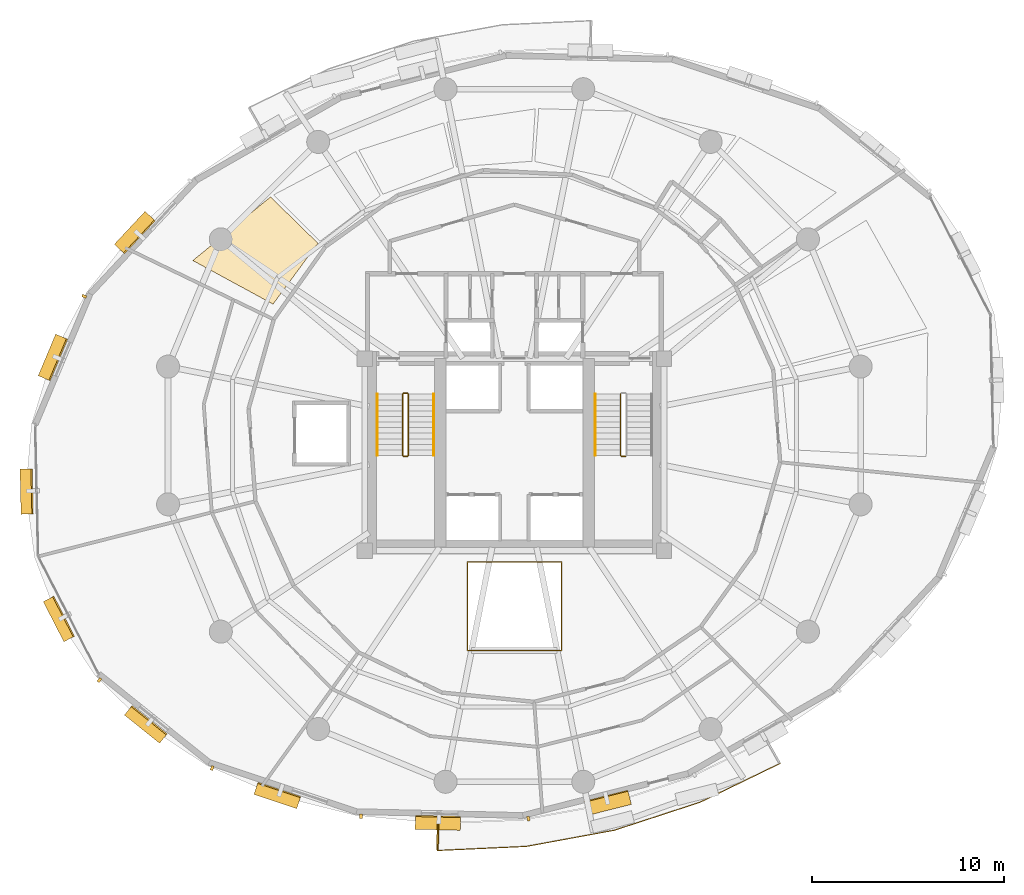
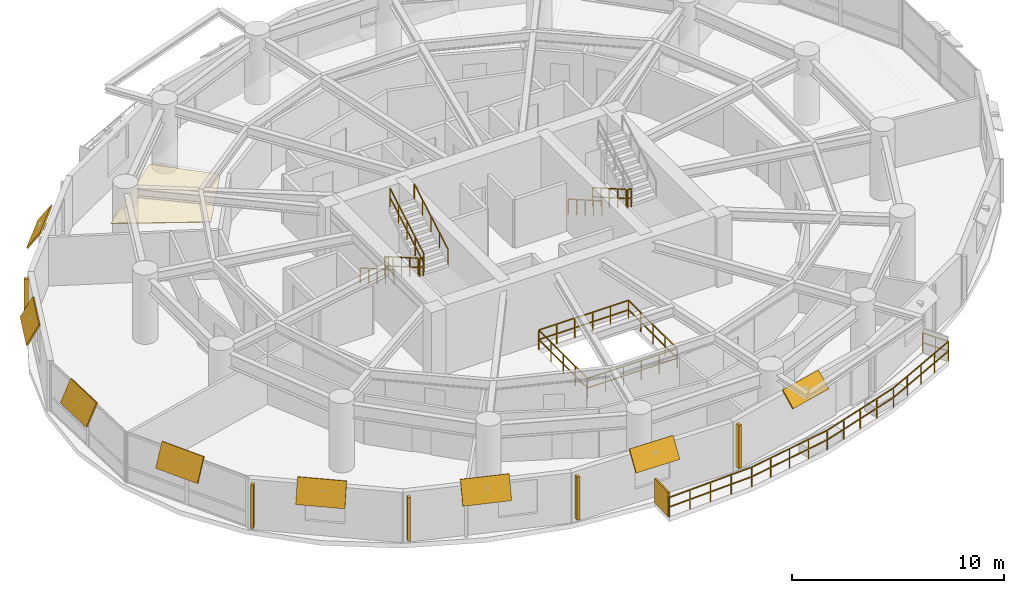
# One storey, part 13 of 15: 14 shading devices, 11 railings, 1 covering.
"""IFC4 building model written with IfcOpenShell, lengths in metres."""

import ifcopenshell
import ifcopenshell.guid

model = None  # the IFC model being written
_history = None  # IfcOwnerHistory: only IFC2X3 demands one
_inside = {}  # id of a spatial element -> (the spatial element, [elements in it])
_under = {}  # id of a project, library or spatial element -> (it, [spatial elements below it])
_declared = {}  # id of a project -> (the project, [libraries it declares])
_typed = {}  # id of a type object -> (the type object, [elements of that type])
_made_of = {}  # id of a material, layer set ... -> (it, [elements and type objects made of it])


def new_model(schema):
    """Start an empty IFC model of exactly this schema.

    Asked for "IFC4X3", IfcOpenShell would pick the latest addendum, in which some entities
    have other attributes; the version numbers below select the first issue.
    IFC2X3 requires an IfcOwnerHistory on every rooted entity: one is made here for all.
    """
    global model, _history
    if schema == "IFC4X3":
        model = ifcopenshell.file(schema_version=(4, 3, 0, 0))
    else:
        model = ifcopenshell.file(schema=schema)
    _inside.clear()
    _under.clear()
    _declared.clear()
    _typed.clear()
    _made_of.clear()
    _history = None
    if model.schema == "IFC2X3":
        org = make("IfcOrganization", Name="unknown")
        user = make(
            "IfcPersonAndOrganization",
            ThePerson=make("IfcPerson", FamilyName="unknown"),
            TheOrganization=org,
        )
        app = make(
            "IfcApplication",
            ApplicationDeveloper=org,
            Version="unknown",
            ApplicationFullName="unknown",
            ApplicationIdentifier="unknown",
        )
        _history = make(
            "IfcOwnerHistory",
            OwningUser=user,
            OwningApplication=app,
            ChangeAction="ADDED",
            CreationDate=0,
        )
    return model


def make(cls, **values):
    """One entity of the class cls with the attributes given. An attribute that is None is left unset."""
    return model.create_entity(
        cls, **{name: value for name, value in values.items() if value is not None}
    )


def rooted(cls, **values):
    """An entity with a GlobalId (a new one), such as an element, a storey or a relation."""
    return make(cls, GlobalId=ifcopenshell.guid.new(), OwnerHistory=_history, **values)


def si_unit(unit_type, name, prefix=None):
    """IfcSIUnit, for example si_unit("LENGTHUNIT", "METRE", prefix="MILLI")."""
    return make("IfcSIUnit", UnitType=unit_type, Prefix=prefix, Name=name)


def assignment(units):
    """IfcUnitAssignment: the units of a project."""
    return None if units is None else make("IfcUnitAssignment", Units=units)


def point(xyz):
    """IfcCartesianPoint."""
    return None if xyz is None else make("IfcCartesianPoint", Coordinates=xyz)


def direction(xyz):
    """IfcDirection."""
    return None if xyz is None else make("IfcDirection", DirectionRatios=xyz)


def frame(location, z_axis=None, x_axis=None):
    """IfcAxis2Placement3D, a coordinate frame: its origin and axes. An axis left out is left unset."""
    return make(
        "IfcAxis2Placement3D",
        Location=point(location),
        Axis=direction(z_axis),
        RefDirection=direction(x_axis),
    )


def frame_2d(location, x_axis=None):
    """IfcAxis2Placement2D, a coordinate frame in the plane: its origin and x axis."""
    return make(
        "IfcAxis2Placement2D", Location=point(location), RefDirection=direction(x_axis)
    )


def origin():
    """The frame at (0, 0, 0) with its axes left unset."""
    return frame((0.0, 0.0, 0.0))


def origin_2d():
    """The frame at (0, 0) in the plane with its x axis left unset."""
    return frame_2d((0.0, 0.0))


def place(relative_to, where):
    """IfcLocalPlacement: puts the frame where relative to a parent placement (None: the world)."""
    return make(
        "IfcLocalPlacement", PlacementRelTo=relative_to, RelativePlacement=where
    )


def context(
    kind, dimensions, precision=None, world=None, true_north=None, identifier=None
):
    """IfcGeometricRepresentationContext, for example the 3D "Model" context."""
    return make(
        "IfcGeometricRepresentationContext",
        ContextIdentifier=identifier,
        ContextType=kind,
        CoordinateSpaceDimension=dimensions,
        Precision=precision,
        WorldCoordinateSystem=world,
        TrueNorth=true_north,
    )


def subcontext(parent, identifier, kind, view, scale=None):
    """IfcGeometricRepresentationSubContext, for example "Body" below "Model"."""
    return make(
        "IfcGeometricRepresentationSubContext",
        ContextIdentifier=identifier,
        ContextType=kind,
        ParentContext=parent,
        TargetScale=scale,
        TargetView=view,
    )


def project(units=None, contexts=None):
    """IfcProject with its units and contexts."""
    return rooted(
        "IfcProject",
        Name="project",
        RepresentationContexts=contexts,
        UnitsInContext=assignment(units),
    )


def spatial(cls, under=None, at=None, **own):
    """A site, building, storey or space (cls), placed at a placement, below another one or the project."""
    s = rooted(cls, ObjectPlacement=at, **own)
    if under is not None:
        _under.setdefault(under.id(), (under, []))[1].append(s)
    return s


def polyline(points):
    """IfcPolyline through the points."""
    return make("IfcPolyline", Points=[point(p) for p in points])


def profile(cls, at=None, kind="AREA", **sizes):
    """A parametric profile (cls). Its sizes go by their IFC names, for example OverallWidth=200.0."""
    return make(cls, ProfileType=kind, Position=at, **sizes)


def rectangle(**sizes):
    """IfcRectangleProfileDef."""
    return profile("IfcRectangleProfileDef", **sizes)


def outline(outer, holes=None, kind="AREA"):
    """IfcArbitraryClosedProfileDef: a profile drawn as a closed curve; with holes, ...WithVoids."""
    if holes is None:
        return make("IfcArbitraryClosedProfileDef", ProfileType=kind, OuterCurve=outer)
    return make(
        "IfcArbitraryProfileDefWithVoids",
        ProfileType=kind,
        OuterCurve=outer,
        InnerCurves=holes,
    )


def extrude(swept, where, along, depth):
    """IfcExtrudedAreaSolid: the profile swept, set in the frame where, extruded along a direction by depth."""
    return make(
        "IfcExtrudedAreaSolid",
        SweptArea=swept,
        Position=where,
        ExtrudedDirection=direction(along),
        Depth=depth,
    )


def shape(context_of_items, identifier, shape_type, items):
    """IfcShapeRepresentation: the items that make up one representation, for example the "Body"."""
    return make(
        "IfcShapeRepresentation",
        ContextOfItems=context_of_items,
        RepresentationIdentifier=identifier,
        RepresentationType=shape_type,
        Items=items,
    )


def material(Name=None, Category=None):
    """IfcMaterial."""
    return make("IfcMaterial", Name=Name, Category=Category)


def layer(
    of_material, thickness, ventilated=None, Name=None, Category=None, Priority=None
):
    """IfcMaterialLayer: one layer of a wall or slab, of a material (None: an air gap)."""
    return make(
        "IfcMaterialLayer",
        Material=of_material,
        LayerThickness=thickness,
        IsVentilated=ventilated,
        Name=Name,
        Category=Category,
        Priority=Priority,
    )


def layer_set(layers, Name=None):
    """IfcMaterialLayerSet."""
    return make("IfcMaterialLayerSet", MaterialLayers=layers, LayerSetName=Name)


def made_of(thing, what):
    """Note that an element or type object is made of a material, layer set ...; save() writes the relation."""
    if what is not None:
        _made_of.setdefault(what.id(), (what, []))[1].append(thing)
    return thing


def type_object(cls, material=None, **own):
    """A type object (cls), such as IfcWallType, which elements share."""
    return made_of(rooted(cls, **own), material)


def element(
    cls,
    number,
    at=None,
    inside=None,
    cuts=None,
    type_object=None,
    material=None,
    context=None,
    identifier="Body",
    shape_type=None,
    held_by="IfcProductDefinitionShape",
    body=None,
    shapes=None,
    **own,
):
    """One element of the class cls, such as IfcWall. Its Tag is "e" and its number.

    at: its placement. inside: the storey or other place that contains it. cuts: it is an
    opening in that element (IfcRelVoidsElement). A single representation is given by context,
    identifier, shape_type and body (its items); several are given by shapes. held_by: the class
    of the entity that holds the representations. save() writes the other relations.
    """
    e = rooted(cls, Tag="e%d" % number, ObjectPlacement=at, **own)
    if body is not None:
        shapes = [shape(context, identifier, shape_type, body)]
    if shapes is not None:
        e.Representation = make(held_by, Representations=shapes)
    if inside is not None:
        _inside.setdefault(inside.id(), (inside, []))[1].append(e)
    if cuts is not None:
        rooted(
            "IfcRelVoidsElement", RelatingBuildingElement=cuts, RelatedOpeningElement=e
        )
    if type_object is not None:
        _typed.setdefault(type_object.id(), (type_object, []))[1].append(e)
    return made_of(e, material)


def aggregate(whole, parts):
    """IfcRelAggregates: a whole, such as a stair, and the parts it consists of."""
    return rooted("IfcRelAggregates", RelatingObject=whole, RelatedObjects=parts)


def save(model, path):
    """Write the relations noted so far, then the file.

    IfcRelAggregates (storeys below a building ...), IfcRelContainedInSpatialStructure (elements
    in a storey), IfcRelDefinesByType, IfcRelAssociatesMaterial and IfcRelDeclares: one each for
    every whole, place, type object, material and project.
    """
    for whole, parts in _under.values():
        aggregate(whole, parts)
    for where, things in _inside.values():
        rooted(
            "IfcRelContainedInSpatialStructure",
            RelatedElements=things,
            RelatingStructure=where,
        )
    for kind, things in _typed.values():
        rooted("IfcRelDefinesByType", RelatedObjects=things, RelatingType=kind)
    for what, things in _made_of.values():
        rooted("IfcRelAssociatesMaterial", RelatedObjects=things, RelatingMaterial=what)
    for by, libraries in _declared.values():
        rooted("IfcRelDeclares", RelatingContext=by, RelatedDefinitions=libraries)
    model.write(path)


model = new_model("IFC4")

# Units and contexts
model_context = context("Model", 3, precision=1e-05, world=origin(), true_north=direction((0.0, 1.0)))
body_context = subcontext(model_context, "Body", "Model", "MODEL_VIEW")
ifc_project = project(units=[si_unit("LENGTHUNIT", "METRE"), si_unit("AREAUNIT", "SQUARE_METRE"), si_unit("VOLUMEUNIT", "CUBIC_METRE"), si_unit("PLANEANGLEUNIT", "RADIAN"), si_unit("MASSUNIT", "GRAM", prefix="KILO"), si_unit("THERMODYNAMICTEMPERATUREUNIT", "KELVIN"), si_unit("POWERUNIT", "WATT")], contexts=[model_context])

# Site, building, storey
site_placement = place(None, origin())
site = spatial("IfcSite", under=ifc_project, at=site_placement, CompositionType="ELEMENT")
building_placement = place(site_placement, origin())
building = spatial("IfcBuilding", under=site, at=building_placement, Name="Ocrelia Relay Tower", CompositionType="ELEMENT")
storey_placement = place(building_placement, frame((0.0, 0.0, 93.800048828125)))
storey = spatial("IfcBuildingStorey", under=building, at=storey_placement, Name="L21", CompositionType="ELEMENT", Elevation=93.800048828125)

# Covering
ifc_material_1 = material(Name="Cleanroom metal-pan acoustic ceiling", Category="aluminium")
ifc_layer_1 = layer(ifc_material_1, 0.0400390625, Name="Cleanroom metal-pan acoustic ceiling")
ifc_layer_set_1 = layer_set([ifc_layer_1], Name="Cleanroom metal-pan acoustic ceiling")
covering_type = type_object("IfcCoveringType", Name="COV-CEIL-CLEAN", PredefinedType="CEILING", material=ifc_layer_set_1)
covering_placement = place(storey_placement, frame((0.0, 0.0, 2.719970703125)))
element("IfcCovering", 1, at=covering_placement, inside=storey, type_object=covering_type, Name="L21 Optical Switching Hall A Suspended Ceiling 7", PredefinedType="CEILING", context=body_context, shape_type="SweptSolid", body=[
    extrude(outline(polyline([(23.764892578125, 36.015380859375), (21.293212890625, 38.43408203125), (17.242431640625, 35.11767578125), (21.42138671875, 32.843994140625), (23.764892578125, 36.015380859375)])), origin(), (0.0, 0.0, 1.0), 0.0400390625),
])

# Railings
ifc_material_2 = material(Name="Steel S355 balustrade", Category="steel")
railing_type_1 = type_object("IfcRailingType", Name="RL-EXT-GUARD-1150", PredefinedType="GUARDRAIL", material=ifc_material_2)
railing_1_placement = place(storey_placement, frame((47.1474609375, 10.112548828125, 0.0)))
element("IfcRailing", 2, at=railing_1_placement, inside=storey, type_object=railing_type_1, Name="L21 Loggia Balcony Guard Rail B2", PredefinedType="GUARDRAIL", context=body_context, shape_type="SweptSolid", body=[
    extrude(rectangle(XDim=0.048095703125, YDim=0.048095703125, at=origin_2d()), frame((0.0, 0.0, 1.1259765625), z_axis=(0.498665339206, -0.866794600511, 0.0), x_axis=(0.866794600511, 0.498665339206, 0.0)), (0.0, 0.0, 1.0), 1.393310546875),
    extrude(rectangle(XDim=0.048095703125, YDim=0.048095703125, at=origin_2d()), frame((0.0, 0.0, 0.574951171875), z_axis=(0.498665339206, -0.866794600511, 0.0), x_axis=(0.866794600511, 0.498665339206, 0.0)), (0.0, 0.0, 1.0), 1.393310546875),
    extrude(rectangle(XDim=0.048095703125, YDim=0.048095703125, at=origin_2d()), frame((0.69482421875, -1.207763671875, 1.1259765625), z_axis=(-0.899780243906, -0.436343342651, 0.0), x_axis=(0.436343342651, -0.899780243906, 0.0)), (0.0, 0.0, 1.0), 2.31591796875),
    extrude(rectangle(XDim=0.048095703125, YDim=0.048095703125, at=origin_2d()), frame((0.69482421875, -1.207763671875, 0.574951171875), z_axis=(-0.899780243906, -0.436343342651, 0.0), x_axis=(0.436343342651, -0.899780243906, 0.0)), (0.0, 0.0, 1.0), 2.31591796875),
    extrude(rectangle(XDim=0.048095703125, YDim=0.048095703125, at=origin_2d()), frame((-1.388916015625, -2.21826171875, 1.1259765625), z_axis=(-0.899780243906, -0.436343342651, 0.0), x_axis=(0.436343342651, -0.899780243906, 0.0)), (0.0, 0.0, 1.0), 2.31591796875),
    extrude(rectangle(XDim=0.048095703125, YDim=0.048095703125, at=origin_2d()), frame((-1.388916015625, -2.21826171875, 0.574951171875), z_axis=(-0.899780243906, -0.436343342651, 0.0), x_axis=(0.436343342651, -0.899780243906, 0.0)), (0.0, 0.0, 1.0), 2.31591796875),
    extrude(rectangle(XDim=0.048095703125, YDim=0.048095703125, at=origin_2d()), frame((-3.47265625, -3.228759765625, 1.1259765625), z_axis=(-0.950553948728, -0.310559479903, 0.0), x_axis=(0.310559479903, -0.950553948728, 0.0)), (0.0, 0.0, 1.0), 4.68212890625),
    extrude(rectangle(XDim=0.048095703125, YDim=0.048095703125, at=origin_2d()), frame((-3.47265625, -3.228759765625, 0.574951171875), z_axis=(-0.950553948728, -0.310559479903, 0.0), x_axis=(0.310559479903, -0.950553948728, 0.0)), (0.0, 0.0, 1.0), 4.68212890625),
    extrude(rectangle(XDim=0.048095703125, YDim=0.048095703125, at=origin_2d()), frame((-7.92333984375, -4.682861328125, 1.1259765625), z_axis=(-0.983551325774, -0.180628872467, 0.0), x_axis=(0.180628872467, -0.983551325774, 0.0)), (0.0, 0.0, 1.0), 4.681884765625),
    extrude(rectangle(XDim=0.048095703125, YDim=0.048095703125, at=origin_2d()), frame((-7.92333984375, -4.682861328125, 0.574951171875), z_axis=(-0.983551325774, -0.180628872467, 0.0), x_axis=(0.180628872467, -0.983551325774, 0.0)), (0.0, 0.0, 1.0), 4.681884765625),
    extrude(rectangle(XDim=0.048095703125, YDim=0.048095703125, at=origin_2d()), frame((-12.5283203125, -5.528564453125, 1.1259765625), z_axis=(-0.998947785691, -0.045861982773, 0.0), x_axis=(0.045861982773, -0.998947785691, 0.0)), (0.0, 0.0, 1.0), 2.315673828125),
    extrude(rectangle(XDim=0.048095703125, YDim=0.048095703125, at=origin_2d()), frame((-12.5283203125, -5.528564453125, 0.574951171875), z_axis=(-0.998947785691, -0.045861982773, 0.0), x_axis=(0.045861982773, -0.998947785691, 0.0)), (0.0, 0.0, 1.0), 2.315673828125),
    extrude(rectangle(XDim=0.048095703125, YDim=0.048095703125, at=origin_2d()), frame((-14.841552734375, -5.634765625, 1.1259765625), z_axis=(-0.998943172775, -0.045962349444, 0.0), x_axis=(0.045962349444, -0.998943172775, 0.0)), (0.0, 0.0, 1.0), 2.31591796875),
    extrude(rectangle(XDim=0.048095703125, YDim=0.048095703125, at=origin_2d()), frame((-14.841552734375, -5.634765625, 0.574951171875), z_axis=(-0.998943172775, -0.045962349444, 0.0), x_axis=(0.045962349444, -0.998943172775, 0.0)), (0.0, 0.0, 1.0), 2.31591796875),
    extrude(rectangle(XDim=0.048095703125, YDim=0.048095703125, at=origin_2d()), frame((-17.155029296875, -5.7412109375, 1.1259765625), z_axis=(0.024528194777, 0.999699138572, 0.0), x_axis=(-0.999699138572, 0.024528194777, 0.0)), (0.0, 0.0, 1.0), 1.3935546875),
    extrude(rectangle(XDim=0.048095703125, YDim=0.048095703125, at=origin_2d()), frame((-17.155029296875, -5.7412109375, 0.574951171875), z_axis=(0.024528194777, 0.999699138572, 0.0), x_axis=(-0.999699138572, 0.024528194777, 0.0)), (0.0, 0.0, 1.0), 1.3935546875),
    extrude(rectangle(XDim=0.0419921875, YDim=0.0419921875, at=origin_2d()), origin(), (0.0, 0.0, 1.0), 1.101806640625),
    extrude(rectangle(XDim=0.0419921875, YDim=0.0419921875, at=origin_2d()), frame((0.347412109375, -0.60400390625, 0.0)), (0.0, 0.0, 1.0), 1.101806640625),
    extrude(rectangle(XDim=0.0419921875, YDim=0.0419921875, at=origin_2d()), frame((0.69482421875, -1.207763671875, 0.0)), (0.0, 0.0, 1.0), 1.101806640625),
    extrude(rectangle(XDim=0.0419921875, YDim=0.0419921875, at=origin_2d()), frame((-0.34716796875, -1.712890625, 0.0)), (0.0, 0.0, 1.0), 1.101806640625),
    extrude(rectangle(XDim=0.0419921875, YDim=0.0419921875, at=origin_2d()), frame((-1.388916015625, -2.21826171875, 0.0)), (0.0, 0.0, 1.0), 1.101806640625),
    extrude(rectangle(XDim=0.0419921875, YDim=0.0419921875, at=origin_2d()), frame((-2.4306640625, -2.7236328125, 0.0)), (0.0, 0.0, 1.0), 1.101806640625),
    extrude(rectangle(XDim=0.0419921875, YDim=0.0419921875, at=origin_2d()), frame((-3.47265625, -3.228759765625, 0.0)), (0.0, 0.0, 1.0), 1.101806640625),
    extrude(rectangle(XDim=0.0419921875, YDim=0.0419921875, at=origin_2d()), frame((-4.58544921875, -3.59228515625, 0.0)), (0.0, 0.0, 1.0), 1.101806640625),
    extrude(rectangle(XDim=0.0419921875, YDim=0.0419921875, at=origin_2d()), frame((-5.697998046875, -3.955810546875, 0.0)), (0.0, 0.0, 1.0), 1.101806640625),
    extrude(rectangle(XDim=0.0419921875, YDim=0.0419921875, at=origin_2d()), frame((-6.810546875, -4.3193359375, 0.0)), (0.0, 0.0, 1.0), 1.101806640625),
    extrude(rectangle(XDim=0.0419921875, YDim=0.0419921875, at=origin_2d()), frame((-7.92333984375, -4.682861328125, 0.0)), (0.0, 0.0, 1.0), 1.101806640625),
    extrude(rectangle(XDim=0.0419921875, YDim=0.0419921875, at=origin_2d()), frame((-9.07470703125, -4.894287109375, 0.0)), (0.0, 0.0, 1.0), 1.101806640625),
    extrude(rectangle(XDim=0.0419921875, YDim=0.0419921875, at=origin_2d()), frame((-10.225830078125, -5.105712890625, 0.0)), (0.0, 0.0, 1.0), 1.101806640625),
    extrude(rectangle(XDim=0.0419921875, YDim=0.0419921875, at=origin_2d()), frame((-11.376953125, -5.317138671875, 0.0)), (0.0, 0.0, 1.0), 1.101806640625),
    extrude(rectangle(XDim=0.0419921875, YDim=0.0419921875, at=origin_2d()), frame((-12.5283203125, -5.528564453125, 0.0)), (0.0, 0.0, 1.0), 1.101806640625),
    extrude(rectangle(XDim=0.0419921875, YDim=0.0419921875, at=origin_2d()), frame((-13.68505859375, -5.58154296875, 0.0)), (0.0, 0.0, 1.0), 1.101806640625),
    extrude(rectangle(XDim=0.0419921875, YDim=0.0419921875, at=origin_2d()), frame((-14.841552734375, -5.634765625, 0.0)), (0.0, 0.0, 1.0), 1.101806640625),
    extrude(rectangle(XDim=0.0419921875, YDim=0.0419921875, at=origin_2d()), frame((-15.998291015625, -5.68798828125, 0.0)), (0.0, 0.0, 1.0), 1.101806640625),
    extrude(rectangle(XDim=0.0419921875, YDim=0.0419921875, at=origin_2d()), frame((-17.155029296875, -5.7412109375, 0.0)), (0.0, 0.0, 1.0), 1.101806640625),
    extrude(rectangle(XDim=0.0419921875, YDim=0.0419921875, at=origin_2d()), frame((-17.137939453125, -5.044677734375, 0.0)), (0.0, 0.0, 1.0), 1.101806640625),
    extrude(rectangle(XDim=0.0419921875, YDim=0.0419921875, at=origin_2d()), frame((-17.120849609375, -4.34814453125, 0.0)), (0.0, 0.0, 1.0), 1.101806640625),
])
ifc_material_3 = material(Name="Steel S355 atrium balustrade", Category="steel")
railing_type_2 = type_object("IfcRailingType", Name="RL-INT-GUARD-115", PredefinedType="GUARDRAIL", material=ifc_material_3)
railing_2_placement = place(storey_placement, frame((31.550048828125, 14.800048828125, 0.0)))
element("IfcRailing", 3, at=railing_2_placement, inside=storey, type_object=railing_type_2, Name="L21 Multi-Zone Interior Atrium Guard", PredefinedType="GUARDRAIL", context=body_context, shape_type="SweptSolid", body=[
    extrude(rectangle(XDim=0.048095703125, YDim=0.048095703125, at=origin_2d()), frame((0.0, 0.0, 1.1259765625), z_axis=(1.0, 0.0, 0.0), x_axis=(0.0, 1.0, 0.0)), (0.0, 0.0, 1.0), 4.89990234375),
    extrude(rectangle(XDim=0.048095703125, YDim=0.048095703125, at=origin_2d()), frame((0.0, 0.0, 0.574951171875), z_axis=(1.0, 0.0, 0.0), x_axis=(0.0, 1.0, 0.0)), (0.0, 0.0, 1.0), 4.89990234375),
    extrude(rectangle(XDim=0.048095703125, YDim=0.048095703125, at=origin_2d()), frame((4.89990234375, 0.0, 1.1259765625), z_axis=(0.0, 1.0, 0.0), x_axis=(-1.0, 0.0, 0.0)), (0.0, 0.0, 1.0), 4.599853515625),
    extrude(rectangle(XDim=0.048095703125, YDim=0.048095703125, at=origin_2d()), frame((4.89990234375, 0.0, 0.574951171875), z_axis=(0.0, 1.0, 0.0), x_axis=(-1.0, 0.0, 0.0)), (0.0, 0.0, 1.0), 4.599853515625),
    extrude(rectangle(XDim=0.048095703125, YDim=0.048095703125, at=origin_2d()), frame((4.89990234375, 4.599853515625, 1.1259765625), z_axis=(-1.0, 0.0, 0.0), x_axis=(0.0, -1.0, 0.0)), (0.0, 0.0, 1.0), 4.89990234375),
    extrude(rectangle(XDim=0.048095703125, YDim=0.048095703125, at=origin_2d()), frame((4.89990234375, 4.599853515625, 0.574951171875), z_axis=(-1.0, 0.0, 0.0), x_axis=(0.0, -1.0, 0.0)), (0.0, 0.0, 1.0), 4.89990234375),
    extrude(rectangle(XDim=0.048095703125, YDim=0.048095703125, at=origin_2d()), frame((0.0, 4.599853515625, 1.1259765625), z_axis=(0.0, -1.0, 0.0), x_axis=(1.0, 0.0, 0.0)), (0.0, 0.0, 1.0), 4.599853515625),
    extrude(rectangle(XDim=0.048095703125, YDim=0.048095703125, at=origin_2d()), frame((0.0, 4.599853515625, 0.574951171875), z_axis=(0.0, -1.0, 0.0), x_axis=(1.0, 0.0, 0.0)), (0.0, 0.0, 1.0), 4.599853515625),
    extrude(rectangle(XDim=0.0419921875, YDim=0.0419921875, at=origin_2d()), origin(), (0.0, 0.0, 1.0), 1.101806640625),
    extrude(rectangle(XDim=0.0419921875, YDim=0.0419921875, at=origin_2d()), frame((0.97998046875, 0.0, 0.0)), (0.0, 0.0, 1.0), 1.101806640625),
    extrude(rectangle(XDim=0.0419921875, YDim=0.0419921875, at=origin_2d()), frame((1.9599609375, 0.0, 0.0)), (0.0, 0.0, 1.0), 1.101806640625),
    extrude(rectangle(XDim=0.0419921875, YDim=0.0419921875, at=origin_2d()), frame((2.93994140625, 0.0, 0.0)), (0.0, 0.0, 1.0), 1.101806640625),
    extrude(rectangle(XDim=0.0419921875, YDim=0.0419921875, at=origin_2d()), frame((3.919921875, 0.0, 0.0)), (0.0, 0.0, 1.0), 1.101806640625),
    extrude(rectangle(XDim=0.0419921875, YDim=0.0419921875, at=origin_2d()), frame((4.89990234375, 0.0, 0.0)), (0.0, 0.0, 1.0), 1.101806640625),
    extrude(rectangle(XDim=0.0419921875, YDim=0.0419921875, at=origin_2d()), frame((4.89990234375, 1.14990234375, 0.0)), (0.0, 0.0, 1.0), 1.101806640625),
    extrude(rectangle(XDim=0.0419921875, YDim=0.0419921875, at=origin_2d()), frame((4.89990234375, 2.2998046875, 0.0)), (0.0, 0.0, 1.0), 1.101806640625),
    extrude(rectangle(XDim=0.0419921875, YDim=0.0419921875, at=origin_2d()), frame((4.89990234375, 3.449951171875, 0.0)), (0.0, 0.0, 1.0), 1.101806640625),
    extrude(rectangle(XDim=0.0419921875, YDim=0.0419921875, at=origin_2d()), frame((4.89990234375, 4.599853515625, 0.0)), (0.0, 0.0, 1.0), 1.101806640625),
    extrude(rectangle(XDim=0.0419921875, YDim=0.0419921875, at=origin_2d()), frame((3.919921875, 4.599853515625, 0.0)), (0.0, 0.0, 1.0), 1.101806640625),
    extrude(rectangle(XDim=0.0419921875, YDim=0.0419921875, at=origin_2d()), frame((2.93994140625, 4.599853515625, 0.0)), (0.0, 0.0, 1.0), 1.101806640625),
    extrude(rectangle(XDim=0.0419921875, YDim=0.0419921875, at=origin_2d()), frame((1.9599609375, 4.599853515625, 0.0)), (0.0, 0.0, 1.0), 1.101806640625),
    extrude(rectangle(XDim=0.0419921875, YDim=0.0419921875, at=origin_2d()), frame((0.97998046875, 4.599853515625, 0.0)), (0.0, 0.0, 1.0), 1.101806640625),
    extrude(rectangle(XDim=0.0419921875, YDim=0.0419921875, at=origin_2d()), frame((0.0, 4.599853515625, 0.0)), (0.0, 0.0, 1.0), 1.101806640625),
    extrude(rectangle(XDim=0.0419921875, YDim=0.0419921875, at=origin_2d()), frame((0.0, 3.449951171875, 0.0)), (0.0, 0.0, 1.0), 1.101806640625),
    extrude(rectangle(XDim=0.0419921875, YDim=0.0419921875, at=origin_2d()), frame((0.0, 2.2998046875, 0.0)), (0.0, 0.0, 1.0), 1.101806640625),
    extrude(rectangle(XDim=0.0419921875, YDim=0.0419921875, at=origin_2d()), frame((0.0, 1.14990234375, 0.0)), (0.0, 0.0, 1.0), 1.101806640625),
])
railing_type_3 = type_object("IfcRailingType", Name="RL-STAIR-GUARD", PredefinedType="GUARDRAIL", material=ifc_material_2)
railing_3_placement = place(storey_placement, frame((28.179931640625, 28.14990234375, 0.16650390625)))
element("IfcRailing", 4, at=railing_3_placement, inside=storey, type_object=railing_type_3, Name="L21 ST1 stair guard 1", PredefinedType="GUARDRAIL", context=body_context, shape_type="SweptSolid", body=[
    extrude(rectangle(XDim=0.048095703125, YDim=0.048095703125, at=origin_2d()), frame((0.0, 0.0, 1.076171875), z_axis=(0.0, -0.86699087805, 0.498324008431), x_axis=(1.0, 0.0, 0.0)), (0.0, 0.0, 1.0), 3.679443359375),
    extrude(rectangle(XDim=0.048095703125, YDim=0.048095703125, at=origin_2d()), frame((0.0, 0.0, 0.550048828125), z_axis=(0.0, -0.86699087805, 0.498324008431), x_axis=(1.0, 0.0, 0.0)), (0.0, 0.0, 1.0), 3.679443359375),
    extrude(rectangle(XDim=0.0419921875, YDim=0.0419921875, at=origin_2d()), origin(), (0.0, 0.0, 1.0), 1.052001953125),
    extrude(rectangle(XDim=0.0419921875, YDim=0.0419921875, at=origin_2d()), frame((0.0, -0.79736328125, 0.45849609375)), (0.0, 0.0, 1.0), 1.052001953125),
    extrude(rectangle(XDim=0.0419921875, YDim=0.0419921875, at=origin_2d()), frame((0.0, -1.594970703125, 0.916748046875)), (0.0, 0.0, 1.0), 1.052001953125),
    extrude(rectangle(XDim=0.0419921875, YDim=0.0419921875, at=origin_2d()), frame((0.0, -2.392578125, 1.375)), (0.0, 0.0, 1.0), 1.052001953125),
    extrude(rectangle(XDim=0.0419921875, YDim=0.0419921875, at=origin_2d()), frame((0.0, -3.18994140625, 1.83349609375)), (0.0, 0.0, 1.0), 1.052001953125),
])
railing_4_placement = place(storey_placement, frame((28.22998046875, 24.909912109375, 2.0)))
element("IfcRailing", 5, at=railing_4_placement, inside=storey, type_object=railing_type_3, Name="L21 ST1 stair guard 2", PredefinedType="GUARDRAIL", context=body_context, shape_type="SweptSolid", body=[
    extrude(rectangle(XDim=0.048095703125, YDim=0.048095703125, at=origin_2d()), frame((0.0, 0.0, 1.076171875), z_axis=(1.0, 0.0, 0.0), x_axis=(0.0, 1.0, 0.0)), (0.0, 0.0, 1.0), 0.199951171875),
    extrude(rectangle(XDim=0.048095703125, YDim=0.048095703125, at=origin_2d()), frame((0.0, 0.0, 0.550048828125), z_axis=(1.0, 0.0, 0.0), x_axis=(0.0, 1.0, 0.0)), (0.0, 0.0, 1.0), 0.199951171875),
    extrude(rectangle(XDim=0.0419921875, YDim=0.0419921875, at=origin_2d()), origin(), (0.0, 0.0, 1.0), 1.052001953125),
    extrude(rectangle(XDim=0.0419921875, YDim=0.0419921875, at=origin_2d()), frame((0.199951171875, 0.0, 0.0)), (0.0, 0.0, 1.0), 1.052001953125),
])
railing_5_placement = place(storey_placement, frame((28.47998046875, 24.9599609375, 2.16650390625)))
element("IfcRailing", 6, at=railing_5_placement, inside=storey, type_object=railing_type_3, Name="L21 ST1 stair guard 3", PredefinedType="GUARDRAIL", context=body_context, shape_type="SweptSolid", body=[
    extrude(rectangle(XDim=0.048095703125, YDim=0.048095703125, at=origin_2d()), frame((0.0, 0.0, 1.076171875), z_axis=(0.0, 0.86699087805, 0.498324008431), x_axis=(-1.0, 0.0, 0.0)), (0.0, 0.0, 1.0), 3.679443359375),
    extrude(rectangle(XDim=0.048095703125, YDim=0.048095703125, at=origin_2d()), frame((0.0, 0.0, 0.550048828125), z_axis=(0.0, 0.86699087805, 0.498324008431), x_axis=(-1.0, 0.0, 0.0)), (0.0, 0.0, 1.0), 3.679443359375),
    extrude(rectangle(XDim=0.0419921875, YDim=0.0419921875, at=origin_2d()), origin(), (0.0, 0.0, 1.0), 1.052001953125),
    extrude(rectangle(XDim=0.0419921875, YDim=0.0419921875, at=origin_2d()), frame((0.0, 0.79736328125, 0.45849609375)), (0.0, 0.0, 1.0), 1.052001953125),
    extrude(rectangle(XDim=0.0419921875, YDim=0.0419921875, at=origin_2d()), frame((0.0, 1.594970703125, 0.916748046875)), (0.0, 0.0, 1.0), 1.052001953125),
    extrude(rectangle(XDim=0.0419921875, YDim=0.0419921875, at=origin_2d()), frame((0.0, 2.392578125, 1.375)), (0.0, 0.0, 1.0), 1.052001953125),
    extrude(rectangle(XDim=0.0419921875, YDim=0.0419921875, at=origin_2d()), frame((0.0, 3.18994140625, 1.83349609375)), (0.0, 0.0, 1.0), 1.052001953125),
])
railing_6_placement = place(storey_placement, frame((28.22998046875, 28.199951171875, 0.0)))
element("IfcRailing", 7, at=railing_6_placement, inside=storey, type_object=railing_type_3, Name="L21 ST1 stair guard 4", PredefinedType="GUARDRAIL", context=body_context, shape_type="SweptSolid", body=[
    extrude(rectangle(XDim=0.048095703125, YDim=0.048095703125, at=origin_2d()), frame((0.0, 0.0, 1.076171875), z_axis=(1.0, 0.0, 0.0), x_axis=(0.0, 1.0, 0.0)), (0.0, 0.0, 1.0), 0.199951171875),
    extrude(rectangle(XDim=0.048095703125, YDim=0.048095703125, at=origin_2d()), frame((0.0, 0.0, 0.550048828125), z_axis=(1.0, 0.0, 0.0), x_axis=(0.0, 1.0, 0.0)), (0.0, 0.0, 1.0), 0.199951171875),
    extrude(rectangle(XDim=0.0419921875, YDim=0.0419921875, at=origin_2d()), origin(), (0.0, 0.0, 1.0), 1.052001953125),
    extrude(rectangle(XDim=0.0419921875, YDim=0.0419921875, at=origin_2d()), frame((0.199951171875, 0.0, 0.0)), (0.0, 0.0, 1.0), 1.052001953125),
])
railing_7_placement = place(storey_placement, frame((39.530029296875, 28.14990234375, 0.16650390625)))
element("IfcRailing", 8, at=railing_7_placement, inside=storey, type_object=railing_type_3, Name="L21 ST2 stair guard 1", PredefinedType="GUARDRAIL", context=body_context, shape_type="SweptSolid", body=[
    extrude(rectangle(XDim=0.048095703125, YDim=0.048095703125, at=origin_2d()), frame((0.0, 0.0, 1.076171875), z_axis=(0.0, -0.86699087805, 0.498324008431), x_axis=(1.0, 0.0, 0.0)), (0.0, 0.0, 1.0), 3.679443359375),
    extrude(rectangle(XDim=0.048095703125, YDim=0.048095703125, at=origin_2d()), frame((0.0, 0.0, 0.550048828125), z_axis=(0.0, -0.86699087805, 0.498324008431), x_axis=(1.0, 0.0, 0.0)), (0.0, 0.0, 1.0), 3.679443359375),
    extrude(rectangle(XDim=0.0419921875, YDim=0.0419921875, at=origin_2d()), origin(), (0.0, 0.0, 1.0), 1.052001953125),
    extrude(rectangle(XDim=0.0419921875, YDim=0.0419921875, at=origin_2d()), frame((0.0, -0.79736328125, 0.45849609375)), (0.0, 0.0, 1.0), 1.052001953125),
    extrude(rectangle(XDim=0.0419921875, YDim=0.0419921875, at=origin_2d()), frame((0.0, -1.594970703125, 0.916748046875)), (0.0, 0.0, 1.0), 1.052001953125),
    extrude(rectangle(XDim=0.0419921875, YDim=0.0419921875, at=origin_2d()), frame((0.0, -2.392578125, 1.375)), (0.0, 0.0, 1.0), 1.052001953125),
    extrude(rectangle(XDim=0.0419921875, YDim=0.0419921875, at=origin_2d()), frame((0.0, -3.18994140625, 1.83349609375)), (0.0, 0.0, 1.0), 1.052001953125),
])
railing_8_placement = place(storey_placement, frame((39.580078125, 24.909912109375, 2.0)))
element("IfcRailing", 9, at=railing_8_placement, inside=storey, type_object=railing_type_3, Name="L21 ST2 stair guard 2", PredefinedType="GUARDRAIL", context=body_context, shape_type="SweptSolid", body=[
    extrude(rectangle(XDim=0.048095703125, YDim=0.048095703125, at=origin_2d()), frame((0.0, 0.0, 1.076171875), z_axis=(1.0, 0.0, 0.0), x_axis=(0.0, 1.0, 0.0)), (0.0, 0.0, 1.0), 0.199951171875),
    extrude(rectangle(XDim=0.048095703125, YDim=0.048095703125, at=origin_2d()), frame((0.0, 0.0, 0.550048828125), z_axis=(1.0, 0.0, 0.0), x_axis=(0.0, 1.0, 0.0)), (0.0, 0.0, 1.0), 0.199951171875),
    extrude(rectangle(XDim=0.0419921875, YDim=0.0419921875, at=origin_2d()), origin(), (0.0, 0.0, 1.0), 1.052001953125),
    extrude(rectangle(XDim=0.0419921875, YDim=0.0419921875, at=origin_2d()), frame((0.199951171875, 0.0, 0.0)), (0.0, 0.0, 1.0), 1.052001953125),
])
ifc_material_4 = material(Name="Steel S355 tubular handrail", Category="steel")
railing_type_4 = type_object("IfcRailingType", Name="RL-STAIR-HAND", PredefinedType="HANDRAIL", material=ifc_material_4)
railing_9_placement = place(storey_placement, frame((26.860107421875, 28.14990234375, 0.16650390625)))
element("IfcRailing", 10, at=railing_9_placement, inside=storey, type_object=railing_type_4, Name="L21 ST1 stair handrail 1", PredefinedType="HANDRAIL", context=body_context, shape_type="SweptSolid", body=[
    extrude(rectangle(XDim=0.048095703125, YDim=0.048095703125, at=origin_2d()), frame((0.0, 0.0, 0.8759765625), z_axis=(0.0, -0.86699087805, 0.498324008431), x_axis=(1.0, 0.0, 0.0)), (0.0, 0.0, 1.0), 3.679443359375),
    extrude(rectangle(XDim=0.0419921875, YDim=0.0419921875, at=origin_2d()), origin(), (0.0, 0.0, 1.0), 0.851806640625),
    extrude(rectangle(XDim=0.0419921875, YDim=0.0419921875, at=origin_2d()), frame((0.0, -0.79736328125, 0.45849609375)), (0.0, 0.0, 1.0), 0.851806640625),
    extrude(rectangle(XDim=0.0419921875, YDim=0.0419921875, at=origin_2d()), frame((0.0, -1.594970703125, 0.916748046875)), (0.0, 0.0, 1.0), 0.851806640625),
    extrude(rectangle(XDim=0.0419921875, YDim=0.0419921875, at=origin_2d()), frame((0.0, -2.392578125, 1.375)), (0.0, 0.0, 1.0), 0.851806640625),
    extrude(rectangle(XDim=0.0419921875, YDim=0.0419921875, at=origin_2d()), frame((0.0, -3.18994140625, 1.83349609375)), (0.0, 0.0, 1.0), 0.851806640625),
])
railing_10_placement = place(storey_placement, frame((29.800048828125, 24.9599609375, 2.16650390625)))
element("IfcRailing", 11, at=railing_10_placement, inside=storey, type_object=railing_type_4, Name="L21 ST1 stair handrail 2", PredefinedType="HANDRAIL", context=body_context, shape_type="SweptSolid", body=[
    extrude(rectangle(XDim=0.048095703125, YDim=0.048095703125, at=origin_2d()), frame((0.0, 0.0, 0.8759765625), z_axis=(0.0, 0.86699087805, 0.498324008431), x_axis=(-1.0, 0.0, 0.0)), (0.0, 0.0, 1.0), 3.679443359375),
    extrude(rectangle(XDim=0.0419921875, YDim=0.0419921875, at=origin_2d()), origin(), (0.0, 0.0, 1.0), 0.851806640625),
    extrude(rectangle(XDim=0.0419921875, YDim=0.0419921875, at=origin_2d()), frame((0.0, 0.79736328125, 0.45849609375)), (0.0, 0.0, 1.0), 0.851806640625),
    extrude(rectangle(XDim=0.0419921875, YDim=0.0419921875, at=origin_2d()), frame((0.0, 1.594970703125, 0.916748046875)), (0.0, 0.0, 1.0), 0.851806640625),
    extrude(rectangle(XDim=0.0419921875, YDim=0.0419921875, at=origin_2d()), frame((0.0, 2.392578125, 1.375)), (0.0, 0.0, 1.0), 0.851806640625),
    extrude(rectangle(XDim=0.0419921875, YDim=0.0419921875, at=origin_2d()), frame((0.0, 3.18994140625, 1.83349609375)), (0.0, 0.0, 1.0), 0.851806640625),
])
railing_11_placement = place(storey_placement, frame((38.2099609375, 28.14990234375, 0.16650390625)))
element("IfcRailing", 12, at=railing_11_placement, inside=storey, type_object=railing_type_4, Name="L21 ST2 stair handrail 1", PredefinedType="HANDRAIL", context=body_context, shape_type="SweptSolid", body=[
    extrude(rectangle(XDim=0.048095703125, YDim=0.048095703125, at=origin_2d()), frame((0.0, 0.0, 0.8759765625), z_axis=(0.0, -0.86699087805, 0.498324008431), x_axis=(1.0, 0.0, 0.0)), (0.0, 0.0, 1.0), 3.679443359375),
    extrude(rectangle(XDim=0.0419921875, YDim=0.0419921875, at=origin_2d()), origin(), (0.0, 0.0, 1.0), 0.851806640625),
    extrude(rectangle(XDim=0.0419921875, YDim=0.0419921875, at=origin_2d()), frame((0.0, -0.79736328125, 0.45849609375)), (0.0, 0.0, 1.0), 0.851806640625),
    extrude(rectangle(XDim=0.0419921875, YDim=0.0419921875, at=origin_2d()), frame((0.0, -1.594970703125, 0.916748046875)), (0.0, 0.0, 1.0), 0.851806640625),
    extrude(rectangle(XDim=0.0419921875, YDim=0.0419921875, at=origin_2d()), frame((0.0, -2.392578125, 1.375)), (0.0, 0.0, 1.0), 0.851806640625),
    extrude(rectangle(XDim=0.0419921875, YDim=0.0419921875, at=origin_2d()), frame((0.0, -3.18994140625, 1.83349609375)), (0.0, 0.0, 1.0), 0.851806640625),
])

# Shading devices
ifc_material_5 = material(Name="Perforated oxide terracotta solar screen", Category="masonry")
ifc_layer_2 = layer(ifc_material_5, 0.090087890625, Name="Perforated oxide terracotta solar screen")
ifc_layer_set_2 = layer_set([ifc_layer_2], Name="Perforated oxide terracotta solar screen")
shading_device_type_1 = type_object("IfcShadingDeviceType", Name="SH-BALC-SCREEN", PredefinedType="USERDEFINED", material=ifc_layer_set_2)
shading_device_1_placement = place(storey_placement, frame((30.009521484375, 5.06787109375, 0.0), z_axis=(0.0, 0.0, 1.0), x_axis=(-0.024543932044, -0.999698752325, 0.0)))
element("IfcShadingDevice", 13, at=shading_device_1_placement, inside=storey, type_object=shading_device_type_1, Name="L21 Balcony Perforated Terracotta Screen B2-1", ObjectType="SCREEN", PredefinedType="USERDEFINED", context=body_context, shape_type="SweptSolid", body=[
    extrude(rectangle(XDim=1.340087890625, YDim=0.090087890625, at=origin_2d()), origin(), (0.0, 0.0, 1.0), 1.39990234375),
])
ifc_material_6 = material(Name="Extruded oxide terracotta vertical baguette", Category="masonry")
shading_device_type_2 = type_object("IfcShadingDeviceType", Name="SH-TERR-BAGUETTE", PredefinedType="USERDEFINED", material=ifc_material_6)
for number, where, z_axis, x_axis, name in (
    (14, (11.58642578125, 33.25146484375, 0.199951171875), (0.0, 0.0, 1.0), (-0.387034679858, -0.922065158537, 0.0), "L21 Oxide Terracotta Vertical Baguette 08"),
    (15, (12.37744140625, 13.251708984375, 0.199951171875), (0.0, 0.0, 1.0), (0.780099177476, -0.625655874504, 0.0), "L21 Oxide Terracotta Vertical Baguette 11"),
    (16, (18.248779296875, 8.66748046875, 0.199951171875), (0.0, 0.0, 1.0), (0.948497838274, -0.316783602462, 0.0), "L21 Oxide Terracotta Vertical Baguette 12"),
    (17, (26.006591796875, 6.161865234375, 0.199951171875), (0.0, 0.0, 1.0), (0.999734075451, -0.023060320522, 0.0), "L21 Oxide Terracotta Vertical Baguette 13"),
    (18, (34.73193359375, 6.03369140625, 0.199951171875), (0.0, 0.0, 1.0), (0.969230641448, 0.246154349298, 0.0), "L21 Oxide Terracotta Vertical Baguette 14"),
):
    element("IfcShadingDevice", number, at=place(storey_placement, frame(where, z_axis=z_axis, x_axis=x_axis)), inside=storey, type_object=shading_device_type_2, Name=name, ObjectType="BAGUETTE", PredefinedType="USERDEFINED", context=body_context, shape_type="SweptSolid", body=[
        extrude(rectangle(XDim=0.139892578125, YDim=0.239990234375, at=origin_2d()), origin(), (0.0, 0.0, 1.0), 2.5),
    ])
ifc_material_7 = material(Name="Extruded oxide terracotta fin", Category="masonry")
ifc_layer_3 = layer(ifc_material_7, 0.080078125, Name="Extruded oxide terracotta fin")
ifc_layer_set_3 = layer_set([ifc_layer_3], Name="Extruded oxide terracotta fin")
shading_device_type_3 = type_object("IfcShadingDeviceType", Name="SH-VISOR-FIN-DEEP", PredefinedType="USERDEFINED", material=ifc_layer_set_3)
shading_device_2_placement = place(storey_placement, frame((14.242919921875, 36.55224609375, 2.7177734375), z_axis=(-0.608850211405, 0.568382981182, 0.553391549243), x_axis=(-0.682397030358, -0.730981732302, 0.0)))
element("IfcShadingDevice", 19, at=shading_device_2_placement, inside=storey, type_object=shading_device_type_3, Name="L21 Canted Terracotta Sun-Visor Fin 07", ObjectType="FIN", PredefinedType="USERDEFINED", context=body_context, shape_type="SweptSolid", body=[
    extrude(rectangle(XDim=2.35009765625, YDim=1.18994140625, at=origin_2d()), origin(), (0.0, 0.0, 1.0), 0.080078125),
])
shading_device_3_placement = place(storey_placement, frame((9.984375, 30.052490234375, 2.720947265625), z_axis=(-0.812314817484, 0.340967232542, 0.473165915539), x_axis=(-0.387034679858, -0.922065158537, 0.0)))
element("IfcShadingDevice", 20, at=shading_device_3_placement, inside=storey, type_object=shading_device_type_3, Name="L21 Canted Terracotta Sun-Visor Fin 08", ObjectType="FIN", PredefinedType="USERDEFINED", context=body_context, shape_type="SweptSolid", body=[
    extrude(rectangle(XDim=2.35009765625, YDim=1.279052734375, at=origin_2d()), origin(), (0.0, 0.0, 1.0), 0.080078125),
])
shading_device_4_placement = place(storey_placement, frame((8.618408203125, 23.0771484375, 2.722900390625), z_axis=(-0.904377869161, -0.020224988913, 0.426252999515), x_axis=(0.02235783737, -0.999750032312, 0.0)))
element("IfcShadingDevice", 21, at=shading_device_4_placement, inside=storey, type_object=shading_device_type_3, Name="L21 Canted Terracotta Sun-Visor Fin 09", ObjectType="FIN", PredefinedType="USERDEFINED", context=body_context, shape_type="SweptSolid", body=[
    extrude(rectangle(XDim=2.35009765625, YDim=1.3291015625, at=origin_2d()), origin(), (0.0, 0.0, 1.0), 0.080078125),
])
shading_device_5_placement = place(storey_placement, frame((10.294677734375, 16.455810546875, 2.7236328125), z_axis=(-0.81219049114, -0.417759040819, 0.407214918582), x_axis=(0.457400894292, -0.889260604042, 0.0)))
element("IfcShadingDevice", 22, at=shading_device_5_placement, inside=storey, type_object=shading_device_type_3, Name="L21 Canted Terracotta Sun-Visor Fin 10", ObjectType="FIN", PredefinedType="USERDEFINED", context=body_context, shape_type="SweptSolid", body=[
    extrude(rectangle(XDim=2.35009765625, YDim=1.34912109375, at=origin_2d()), origin(), (0.0, 0.0, 1.0), 0.080078125),
])
shading_device_6_placement = place(storey_placement, frame((14.815673828125, 10.9697265625, 2.723388671875), z_axis=(-0.568777964596, -0.709180941838, 0.416598150168), x_axis=(0.780099177476, -0.625655874504, 0.0)))
element("IfcShadingDevice", 23, at=shading_device_6_placement, inside=storey, type_object=shading_device_type_3, Name="L21 Canted Terracotta Sun-Visor Fin 11", ObjectType="FIN", PredefinedType="USERDEFINED", context=body_context, shape_type="SweptSolid", body=[
    extrude(rectangle(XDim=2.35009765625, YDim=1.340087890625, at=origin_2d()), origin(), (0.0, 0.0, 1.0), 0.080078125),
])
shading_device_7_placement = place(storey_placement, frame((21.657470703125, 7.27783203125, 2.721435546875), z_axis=(-0.280837154933, -0.840868758012, 0.462677235456), x_axis=(0.948497838274, -0.316783602462, 0.0)))
element("IfcShadingDevice", 24, at=shading_device_7_placement, inside=storey, type_object=shading_device_type_3, Name="L21 Canted Terracotta Sun-Visor Fin 12", ObjectType="FIN", PredefinedType="USERDEFINED", context=body_context, shape_type="SweptSolid", body=[
    extrude(rectangle(XDim=2.35009765625, YDim=1.291015625, at=origin_2d()), origin(), (0.0, 0.0, 1.0), 0.080078125),
])
shading_device_8_placement = place(storey_placement, frame((30.0126953125, 5.847900390625, 2.7177734375), z_axis=(-0.019156048673, -0.830472177992, 0.556730641675), x_axis=(0.999734075451, -0.023060320522, 0.0)))
element("IfcShadingDevice", 25, at=shading_device_8_placement, inside=storey, type_object=shading_device_type_3, Name="L21 Canted Terracotta Sun-Visor Fin 13", ObjectType="FIN", PredefinedType="USERDEFINED", context=body_context, shape_type="SweptSolid", body=[
    extrude(rectangle(XDim=2.35009765625, YDim=1.18603515625, at=origin_2d()), origin(), (0.0, 0.0, 1.0), 0.080078125),
])
ifc_layer_4 = layer(ifc_material_7, 0.080078125, Name="Extruded oxide terracotta fin")
ifc_layer_set_4 = layer_set([ifc_layer_4], Name="Extruded oxide terracotta fin")
shading_device_type_4 = type_object("IfcShadingDeviceType", Name="SH-VISOR-FIN-MED", PredefinedType="USERDEFINED", material=ifc_layer_set_4)
shading_device_9_placement = place(storey_placement, frame((38.854248046875, 6.886474609375, 2.71240234375), z_axis=(0.178494899185, -0.702822136298, 0.688607737173), x_axis=(0.969230641448, 0.246154349298, 0.0)))
element("IfcShadingDevice", 26, at=shading_device_9_placement, inside=storey, type_object=shading_device_type_4, Name="L21 Canted Terracotta Sun-Visor Fin 14", ObjectType="FIN", PredefinedType="USERDEFINED", context=body_context, shape_type="SweptSolid", body=[
    extrude(rectangle(XDim=2.35009765625, YDim=1.02490234375, at=origin_2d()), origin(), (0.0, 0.0, 1.0), 0.080078125),
])

save(model, "model.ifc")
